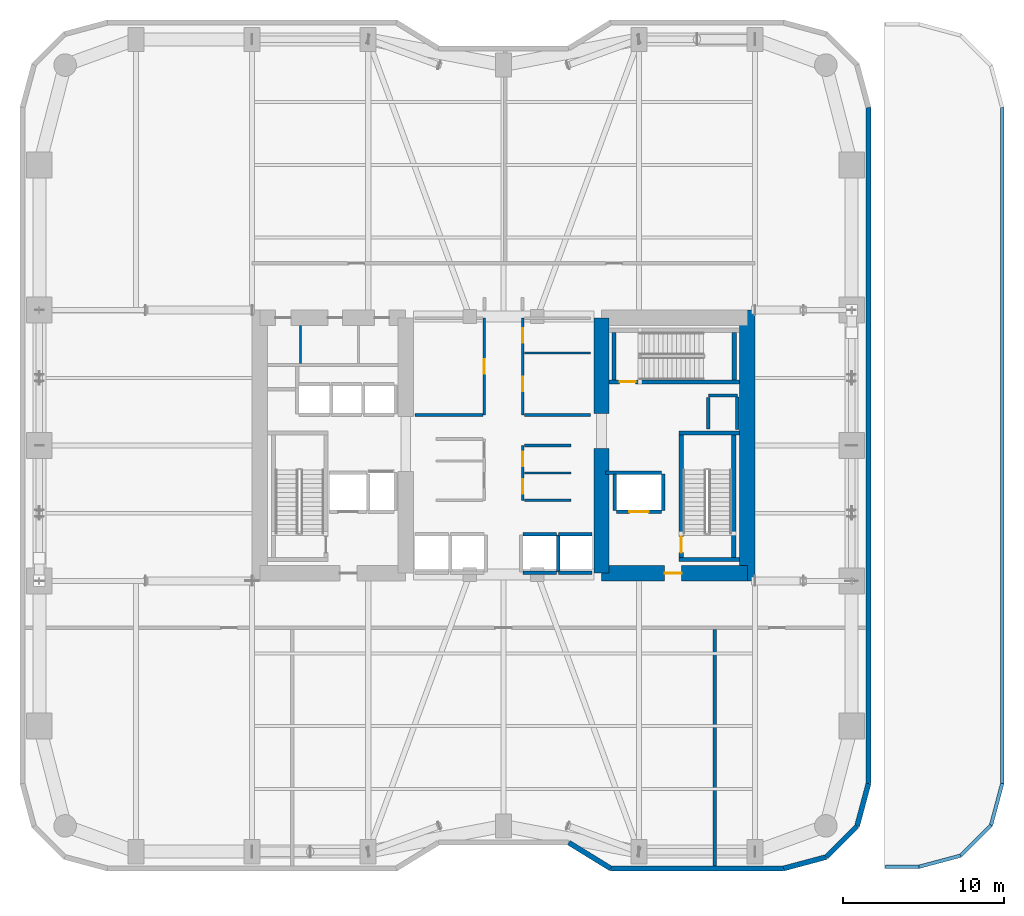
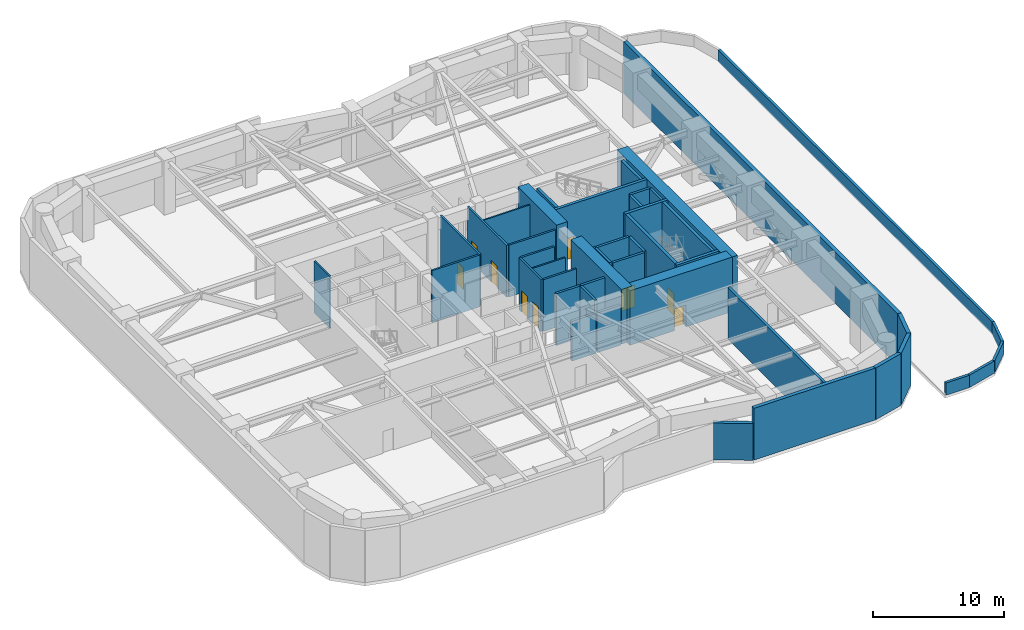
# One storey, part 13 of 16: 45 walls, 9 doors, 9 openings.
"""IFC4 building model written with IfcOpenShell, lengths in metres."""

import ifcopenshell
import ifcopenshell.guid

model = None  # the IFC model being written
_history = None  # IfcOwnerHistory: only IFC2X3 demands one
_inside = {}  # id of a spatial element -> (the spatial element, [elements in it])
_under = {}  # id of a project, library or spatial element -> (it, [spatial elements below it])
_declared = {}  # id of a project -> (the project, [libraries it declares])
_typed = {}  # id of a type object -> (the type object, [elements of that type])
_made_of = {}  # id of a material, layer set ... -> (it, [elements and type objects made of it])


def new_model(schema):
    """Start an empty IFC model of exactly this schema.

    Asked for "IFC4X3", IfcOpenShell would pick the latest addendum, in which some entities
    have other attributes; the version numbers below select the first issue.
    IFC2X3 requires an IfcOwnerHistory on every rooted entity: one is made here for all.
    """
    global model, _history
    if schema == "IFC4X3":
        model = ifcopenshell.file(schema_version=(4, 3, 0, 0))
    else:
        model = ifcopenshell.file(schema=schema)
    _inside.clear()
    _under.clear()
    _declared.clear()
    _typed.clear()
    _made_of.clear()
    _history = None
    if model.schema == "IFC2X3":
        org = make("IfcOrganization", Name="unknown")
        user = make(
            "IfcPersonAndOrganization",
            ThePerson=make("IfcPerson", FamilyName="unknown"),
            TheOrganization=org,
        )
        app = make(
            "IfcApplication",
            ApplicationDeveloper=org,
            Version="unknown",
            ApplicationFullName="unknown",
            ApplicationIdentifier="unknown",
        )
        _history = make(
            "IfcOwnerHistory",
            OwningUser=user,
            OwningApplication=app,
            ChangeAction="ADDED",
            CreationDate=0,
        )
    return model


def make(cls, **values):
    """One entity of the class cls with the attributes given. An attribute that is None is left unset."""
    return model.create_entity(
        cls, **{name: value for name, value in values.items() if value is not None}
    )


def rooted(cls, **values):
    """An entity with a GlobalId (a new one), such as an element, a storey or a relation."""
    return make(cls, GlobalId=ifcopenshell.guid.new(), OwnerHistory=_history, **values)


def si_unit(unit_type, name, prefix=None):
    """IfcSIUnit, for example si_unit("LENGTHUNIT", "METRE", prefix="MILLI")."""
    return make("IfcSIUnit", UnitType=unit_type, Prefix=prefix, Name=name)


def assignment(units):
    """IfcUnitAssignment: the units of a project."""
    return None if units is None else make("IfcUnitAssignment", Units=units)


def point(xyz):
    """IfcCartesianPoint."""
    return None if xyz is None else make("IfcCartesianPoint", Coordinates=xyz)


def direction(xyz):
    """IfcDirection."""
    return None if xyz is None else make("IfcDirection", DirectionRatios=xyz)


def frame(location, z_axis=None, x_axis=None):
    """IfcAxis2Placement3D, a coordinate frame: its origin and axes. An axis left out is left unset."""
    return make(
        "IfcAxis2Placement3D",
        Location=point(location),
        Axis=direction(z_axis),
        RefDirection=direction(x_axis),
    )


def frame_2d(location, x_axis=None):
    """IfcAxis2Placement2D, a coordinate frame in the plane: its origin and x axis."""
    return make(
        "IfcAxis2Placement2D", Location=point(location), RefDirection=direction(x_axis)
    )


def origin():
    """The frame at (0, 0, 0) with its axes left unset."""
    return frame((0.0, 0.0, 0.0))


def place(relative_to, where):
    """IfcLocalPlacement: puts the frame where relative to a parent placement (None: the world)."""
    return make(
        "IfcLocalPlacement", PlacementRelTo=relative_to, RelativePlacement=where
    )


def context(
    kind, dimensions, precision=None, world=None, true_north=None, identifier=None
):
    """IfcGeometricRepresentationContext, for example the 3D "Model" context."""
    return make(
        "IfcGeometricRepresentationContext",
        ContextIdentifier=identifier,
        ContextType=kind,
        CoordinateSpaceDimension=dimensions,
        Precision=precision,
        WorldCoordinateSystem=world,
        TrueNorth=true_north,
    )


def subcontext(parent, identifier, kind, view, scale=None):
    """IfcGeometricRepresentationSubContext, for example "Body" below "Model"."""
    return make(
        "IfcGeometricRepresentationSubContext",
        ContextIdentifier=identifier,
        ContextType=kind,
        ParentContext=parent,
        TargetScale=scale,
        TargetView=view,
    )


def project(units=None, contexts=None):
    """IfcProject with its units and contexts."""
    return rooted(
        "IfcProject",
        Name="project",
        RepresentationContexts=contexts,
        UnitsInContext=assignment(units),
    )


def spatial(cls, under=None, at=None, **own):
    """A site, building, storey or space (cls), placed at a placement, below another one or the project."""
    s = rooted(cls, ObjectPlacement=at, **own)
    if under is not None:
        _under.setdefault(under.id(), (under, []))[1].append(s)
    return s


def profile(cls, at=None, kind="AREA", **sizes):
    """A parametric profile (cls). Its sizes go by their IFC names, for example OverallWidth=200.0."""
    return make(cls, ProfileType=kind, Position=at, **sizes)


def rectangle(**sizes):
    """IfcRectangleProfileDef."""
    return profile("IfcRectangleProfileDef", **sizes)


def extrude(swept, where, along, depth):
    """IfcExtrudedAreaSolid: the profile swept, set in the frame where, extruded along a direction by depth."""
    return make(
        "IfcExtrudedAreaSolid",
        SweptArea=swept,
        Position=where,
        ExtrudedDirection=direction(along),
        Depth=depth,
    )


def shape(context_of_items, identifier, shape_type, items):
    """IfcShapeRepresentation: the items that make up one representation, for example the "Body"."""
    return make(
        "IfcShapeRepresentation",
        ContextOfItems=context_of_items,
        RepresentationIdentifier=identifier,
        RepresentationType=shape_type,
        Items=items,
    )


def material(Name=None, Category=None):
    """IfcMaterial."""
    return make("IfcMaterial", Name=Name, Category=Category)


def layer(
    of_material, thickness, ventilated=None, Name=None, Category=None, Priority=None
):
    """IfcMaterialLayer: one layer of a wall or slab, of a material (None: an air gap)."""
    return make(
        "IfcMaterialLayer",
        Material=of_material,
        LayerThickness=thickness,
        IsVentilated=ventilated,
        Name=Name,
        Category=Category,
        Priority=Priority,
    )


def layer_set(layers, Name=None):
    """IfcMaterialLayerSet."""
    return make("IfcMaterialLayerSet", MaterialLayers=layers, LayerSetName=Name)


def made_of(thing, what):
    """Note that an element or type object is made of a material, layer set ...; save() writes the relation."""
    if what is not None:
        _made_of.setdefault(what.id(), (what, []))[1].append(thing)
    return thing


def type_object(cls, material=None, **own):
    """A type object (cls), such as IfcWallType, which elements share."""
    return made_of(rooted(cls, **own), material)


def element(
    cls,
    number,
    at=None,
    inside=None,
    cuts=None,
    type_object=None,
    material=None,
    context=None,
    identifier="Body",
    shape_type=None,
    held_by="IfcProductDefinitionShape",
    body=None,
    shapes=None,
    **own,
):
    """One element of the class cls, such as IfcWall. Its Tag is "e" and its number.

    at: its placement. inside: the storey or other place that contains it. cuts: it is an
    opening in that element (IfcRelVoidsElement). A single representation is given by context,
    identifier, shape_type and body (its items); several are given by shapes. held_by: the class
    of the entity that holds the representations. save() writes the other relations.
    """
    e = rooted(cls, Tag="e%d" % number, ObjectPlacement=at, **own)
    if body is not None:
        shapes = [shape(context, identifier, shape_type, body)]
    if shapes is not None:
        e.Representation = make(held_by, Representations=shapes)
    if inside is not None:
        _inside.setdefault(inside.id(), (inside, []))[1].append(e)
    if cuts is not None:
        rooted(
            "IfcRelVoidsElement", RelatingBuildingElement=cuts, RelatedOpeningElement=e
        )
    if type_object is not None:
        _typed.setdefault(type_object.id(), (type_object, []))[1].append(e)
    return made_of(e, material)


def fill(opening, filler):
    """IfcRelFillsElement: the door or window that sits in an opening."""
    return rooted(
        "IfcRelFillsElement",
        RelatingOpeningElement=opening,
        RelatedBuildingElement=filler,
    )


def aggregate(whole, parts):
    """IfcRelAggregates: a whole, such as a stair, and the parts it consists of."""
    return rooted("IfcRelAggregates", RelatingObject=whole, RelatedObjects=parts)


def save(model, path):
    """Write the relations noted so far, then the file.

    IfcRelAggregates (storeys below a building ...), IfcRelContainedInSpatialStructure (elements
    in a storey), IfcRelDefinesByType, IfcRelAssociatesMaterial and IfcRelDeclares: one each for
    every whole, place, type object, material and project.
    """
    for whole, parts in _under.values():
        aggregate(whole, parts)
    for where, things in _inside.values():
        rooted(
            "IfcRelContainedInSpatialStructure",
            RelatedElements=things,
            RelatingStructure=where,
        )
    for kind, things in _typed.values():
        rooted("IfcRelDefinesByType", RelatedObjects=things, RelatingType=kind)
    for what, things in _made_of.values():
        rooted("IfcRelAssociatesMaterial", RelatedObjects=things, RelatingMaterial=what)
    for by, libraries in _declared.values():
        rooted("IfcRelDeclares", RelatingContext=by, RelatedDefinitions=libraries)
    model.write(path)


model = new_model("IFC4")

# Units and contexts
model_context = context("Model", 3, precision=1e-05, world=origin(), true_north=direction((0.0, 1.0)))
body_context = subcontext(model_context, "Body", "Model", "MODEL_VIEW")
ifc_project = project(units=[si_unit("LENGTHUNIT", "METRE"), si_unit("AREAUNIT", "SQUARE_METRE"), si_unit("VOLUMEUNIT", "CUBIC_METRE"), si_unit("PLANEANGLEUNIT", "RADIAN"), si_unit("MASSUNIT", "GRAM", prefix="KILO")], contexts=[model_context])

# Site, building, storey
site_placement = place(None, origin())
site = spatial("IfcSite", under=ifc_project, at=site_placement, CompositionType="ELEMENT")
building_placement = place(site_placement, origin())
building = spatial("IfcBuilding", under=site, at=building_placement, Name="Kiyonajd Concourse Tower", CompositionType="ELEMENT")
storey_placement = place(building_placement, frame((0.0, 0.0, 80.699951171875)))
storey = spatial("IfcBuildingStorey", under=building, at=storey_placement, Name="L21", CompositionType="ELEMENT", Elevation=80.699951171875)

# Walls
ifc_material_1 = material(Name="Concrete C80/95", Category="concrete")
ifc_layer_1 = layer(ifc_material_1, 0.949951171875)
ifc_layer_set_1 = layer_set([ifc_layer_1], Name="Concrete C80/95")
wall_type_1 = type_object("IfcWallType", Name="WL-CORE-950", PredefinedType="SHEAR", material=ifc_layer_set_1)
wall_1_placement = place(storey_placement, frame((54.074951171875, 28.074951171875, 0.0), z_axis=(0.0, 0.0, 1.0), x_axis=(0.0, 1.0, 0.0)))
element("IfcWall", 1, at=wall_1_placement, inside=storey, type_object=wall_type_1, Name="L21 East Core Inner South Shear Wall", PredefinedType="SHEAR", context=body_context, shape_type="SweptSolid", body=[
    extrude(rectangle(XDim=7.72509765625, YDim=0.949951171875, at=frame_2d((3.862548828125, 0.0))), origin(), (0.0, 0.0, 1.0), 5.10009765625),
])
wall_2_placement = place(storey_placement, frame((54.074951171875, 38.0, 0.0), z_axis=(0.0, 0.0, 1.0), x_axis=(0.0, 1.0, 0.0)))
element("IfcWall", 2, at=wall_2_placement, inside=storey, type_object=wall_type_1, Name="L21 East Core Inner North Shear Wall", PredefinedType="SHEAR", context=body_context, shape_type="SweptSolid", body=[
    extrude(rectangle(XDim=5.925048828125, YDim=0.949951171875, at=frame_2d((2.96240234375, 0.0))), origin(), (0.0, 0.0, 1.0), 5.10009765625),
])
wall_3_placement = place(storey_placement, frame((63.125, 27.60009765625, 0.0), z_axis=(0.0, 0.0, 1.0), x_axis=(0.0, 1.0, 0.0)))
element("IfcWall", 3, at=wall_3_placement, inside=storey, type_object=wall_type_1, Name="L21 East Core Outer Shear Wall", PredefinedType="SHEAR", context=body_context, shape_type="SweptSolid", body=[
    extrude(rectangle(XDim=16.7998046875, YDim=0.949951171875, at=frame_2d((8.39990234375, 0.0))), origin(), (0.0, 0.0, 1.0), 5.10009765625),
])

# Wall, opening, door
wall_4_placement = place(storey_placement, frame((54.074951171875, 28.074951171875, 0.0), z_axis=(0.0, 0.0, 1.0), x_axis=(1.0, 0.0, 0.0)))
wall_4 = element("IfcWall", 4, at=wall_4_placement, inside=storey, type_object=wall_type_1, Name="L21 East Core South Shear Wall", PredefinedType="SHEAR", context=body_context, shape_type="SweptSolid", body=[
    extrude(rectangle(XDim=9.050048828125, YDim=0.949951171875, at=frame_2d((4.52490234375, 0.0))), origin(), (0.0, 0.0, 1.0), 5.10009765625),
])
opening_1_placement = place(wall_4_placement, frame((3.925048828125, 0.0, 0.0)))
opening_1 = element("IfcOpeningElement", 5, at=opening_1_placement, cuts=wall_4, Name="Opening DF5", PredefinedType="OPENING", context=body_context, shape_type="SweptSolid", body=[
    extrude(rectangle(XDim=1.050048828125, YDim=2.0400390625, at=frame_2d((0.52490234375, 1.02001953125))), frame((0.0, 0.48486328125, 0.0), z_axis=(0.0, -1.0, 0.0), x_axis=(1.0, 0.0, 0.0)), (0.0, 0.0, 1.0), 0.969970703125),
])
ifc_material_2 = material(Name="Brushed Stainless Steel Cab Assembly", Category="steel")
door_type_1 = type_object("IfcDoorType", Name="DR-FD45-1050", OperationType="NOTDEFINED", PredefinedType="DOOR", material=ifc_material_2)
door_1_placement = place(opening_1_placement, origin())
door_1 = element("IfcDoor", 6, at=door_1_placement, inside=storey, type_object=door_type_1, Name="L21 Firefighting Lift Lobby E Smoke Door", OperationType="SINGLE_SWING_RIGHT", OverallHeight=2.0400390625, OverallWidth=1.050048828125, PredefinedType="DOOR", context=body_context, shape_type="SweptSolid", body=[
    extrude(rectangle(XDim=1.050048828125, YDim=2.0400390625, at=frame_2d((0.52490234375, 1.02001953125))), frame((0.0, 0.02490234375, 0.0), z_axis=(0.0, -1.0, 0.0), x_axis=(1.0, 0.0, 0.0)), (0.0, 0.0, 1.0), 0.050048828125),
])
fill(opening_1, door_1)

# Walls
ifc_material_3 = material(Name="Precast concrete C50/60", Category="concrete")
ifc_layer_2 = layer(ifc_material_3, 0.320068359375)
ifc_layer_set_2 = layer_set([ifc_layer_2], Name="Precast concrete C50/60")
wall_type_2 = type_object("IfcWallType", Name="WL-EXT-320", PredefinedType="SOLIDWALL", material=ifc_layer_set_2)
wall_5_placement = place(storey_placement, frame((70.639892578125, 56.97900390625, 0.0), z_axis=(0.0, 0.0, 1.0), x_axis=(0.0, -1.0, 0.0)))
element("IfcWall", 7, at=wall_5_placement, inside=storey, type_object=wall_type_2, Name="L21 Exterior Concrete Frame Wall 12", PredefinedType="SOLIDWALL", context=body_context, shape_type="SweptSolid", body=[
    extrude(rectangle(XDim=41.9580078125, YDim=0.320068359375, at=frame_2d((20.97900390625, 0.0))), origin(), (0.0, 0.0, 1.0), 4.840087890625),
])
wall_6_placement = place(storey_placement, frame((70.639892578125, 15.02099609375, 0.0), z_axis=(0.0, 0.0, 1.0), x_axis=(-0.258613949072, -0.965980758269, 0.0)))
element("IfcWall", 8, at=wall_6_placement, inside=storey, type_object=wall_type_2, Name="L21 Exterior Concrete Frame Wall 13", PredefinedType="SOLIDWALL", context=body_context, shape_type="SweptSolid", body=[
    extrude(rectangle(XDim=2.731201171875, YDim=0.320068359375, at=frame_2d((1.36572265625, 0.0))), origin(), (0.0, 0.0, 1.0), 4.840087890625),
])
wall_7_placement = place(storey_placement, frame((69.93359375, 12.3828125, 0.0), z_axis=(0.0, 0.0, 1.0), x_axis=(-0.707151821269, -0.707061738235, 0.0)))
element("IfcWall", 9, at=wall_7_placement, inside=storey, type_object=wall_type_2, Name="L21 Exterior Concrete Frame Wall 14", PredefinedType="SOLIDWALL", context=body_context, shape_type="SweptSolid", body=[
    extrude(rectangle(XDim=2.710205078125, YDim=0.320068359375, at=frame_2d((1.35498046875, 0.0))), origin(), (0.0, 0.0, 1.0), 4.840087890625),
])
wall_8_placement = place(storey_placement, frame((68.01708984375, 10.466552734375, 0.0), z_axis=(0.0, 0.0, 1.0), x_axis=(-0.965958423373, -0.25869736047, 0.0)))
element("IfcWall", 10, at=wall_8_placement, inside=storey, type_object=wall_type_2, Name="L21 Exterior Concrete Frame Wall 15", PredefinedType="SOLIDWALL", context=body_context, shape_type="SweptSolid", body=[
    extrude(rectangle(XDim=2.731201171875, YDim=0.320068359375, at=frame_2d((1.36572265625, 0.0))), origin(), (0.0, 0.0, 1.0), 4.840087890625),
])
wall_9_placement = place(storey_placement, frame((65.37890625, 9.760009765625, 0.0), z_axis=(0.0, 0.0, 1.0), x_axis=(-1.0, 0.0, 0.0)))
element("IfcWall", 11, at=wall_9_placement, inside=storey, type_object=wall_type_2, Name="L21 Exterior Concrete Frame Wall 16", PredefinedType="SOLIDWALL", context=body_context, shape_type="SweptSolid", body=[
    extrude(rectangle(XDim=10.733642578125, YDim=0.320068359375, at=frame_2d((5.36669921875, 0.0))), origin(), (0.0, 0.0, 1.0), 4.840087890625),
])
wall_10_placement = place(storey_placement, frame((54.645263671875, 9.760009765625, 0.0), z_axis=(0.0, 0.0, 1.0), x_axis=(-0.851630857047, 0.524142044989, 0.0)))
element("IfcWall", 12, at=wall_10_placement, inside=storey, type_object=wall_type_2, Name="L21 Exterior Concrete Frame Wall 17", PredefinedType="SOLIDWALL", context=body_context, shape_type="SweptSolid", body=[
    extrude(rectangle(XDim=3.052734375, YDim=0.320068359375, at=frame_2d((1.5263671875, 0.0))), origin(), (0.0, 0.0, 1.0), 3.425048828125),
])
ifc_material_4 = material(Name="Gypsum Board on Cold-Formed Steel Stud", Category="steel")
ifc_layer_3 = layer(ifc_material_4, 0.22998046875)
ifc_layer_set_3 = layer_set([ifc_layer_3], Name="Gypsum Board on Cold-Formed Steel Stud")
wall_type_3 = type_object("IfcWallType", Name="WL-FIRE-230", PredefinedType="PARTITIONING", material=ifc_layer_set_3)
wall_11_placement = place(storey_placement, frame((61.10009765625, 9.9150390625, 0.0), z_axis=(0.0, 0.0, 1.0), x_axis=(0.0, 1.0, 0.0)))
element("IfcWall", 13, at=wall_11_placement, inside=storey, type_object=wall_type_3, Name="L21 Interior Partition Wall", PredefinedType="PARTITIONING", context=body_context, shape_type="SweptSolid", body=[
    extrude(rectangle(XDim=14.66796875, YDim=0.22998046875, at=frame_2d((7.333984375, 0.0))), origin(), (0.0, 0.0, 1.0), 4.840087890625),
])
ifc_layer_4 = layer(ifc_material_3, 0.219970703125)
ifc_layer_set_4 = layer_set([ifc_layer_4], Name="Precast concrete C50/60")
wall_type_4 = type_object("IfcWallType", Name="WL-PAR-220", PredefinedType="PARAPET", material=ifc_layer_set_4)
wall_12_placement = place(storey_placement, frame((78.93994140625, 56.965576171875, 0.0), z_axis=(0.0, 0.0, 1.0), x_axis=(0.0, -1.0, 0.0)))
element("IfcWall", 14, at=wall_12_placement, inside=storey, type_object=wall_type_4, Name="L21 Setback Roof Parapet 03", PredefinedType="PARAPET", context=body_context, shape_type="SweptSolid", body=[
    extrude(rectangle(XDim=41.93115234375, YDim=0.219970703125, at=frame_2d((20.965576171875, 0.0))), origin(), (0.0, 0.0, 1.0), 1.150146484375),
])
wall_13_placement = place(storey_placement, frame((78.93994140625, 15.034423828125, 0.0), z_axis=(0.0, 0.0, 1.0), x_axis=(-0.258470033577, -0.966019276072, 0.0)))
element("IfcWall", 15, at=wall_13_placement, inside=storey, type_object=wall_type_4, Name="L21 Setback Roof Parapet 04", PredefinedType="PARAPET", context=body_context, shape_type="SweptSolid", body=[
    extrude(rectangle(XDim=2.691162109375, YDim=0.219970703125, at=frame_2d((1.345703125, 0.0))), origin(), (0.0, 0.0, 1.0), 1.150146484375),
])
wall_14_placement = place(storey_placement, frame((78.244384765625, 12.434814453125, 0.0), z_axis=(0.0, 0.0, 1.0), x_axis=(-0.707152710632, -0.707060848758, 0.0)))
element("IfcWall", 16, at=wall_14_placement, inside=storey, type_object=wall_type_4, Name="L21 Setback Roof Parapet 05", PredefinedType="PARAPET", context=body_context, shape_type="SweptSolid", body=[
    extrude(rectangle(XDim=2.65771484375, YDim=0.219970703125, at=frame_2d((1.328857421875, 0.0))), origin(), (0.0, 0.0, 1.0), 1.150146484375),
])
wall_15_placement = place(storey_placement, frame((76.364990234375, 10.5556640625, 0.0), z_axis=(0.0, 0.0, 1.0), x_axis=(-0.966019276072, -0.258470033577, 0.0)))
element("IfcWall", 17, at=wall_15_placement, inside=storey, type_object=wall_type_4, Name="L21 Setback Roof Parapet 06", PredefinedType="PARAPET", context=body_context, shape_type="SweptSolid", body=[
    extrude(rectangle(XDim=2.691162109375, YDim=0.219970703125, at=frame_2d((1.345703125, 0.0))), origin(), (0.0, 0.0, 1.0), 1.150146484375),
])
wall_16_placement = place(storey_placement, frame((73.765380859375, 9.860107421875, 0.0), z_axis=(0.0, 0.0, 1.0), x_axis=(-1.0, 0.0, 0.0)))
element("IfcWall", 18, at=wall_16_placement, inside=storey, type_object=wall_type_4, Name="L21 Setback Roof Parapet 07", PredefinedType="PARAPET", context=body_context, shape_type="SweptSolid", body=[
    extrude(rectangle(XDim=2.055419921875, YDim=0.219970703125, at=frame_2d((1.02783203125, 0.0))), origin(), (0.0, 0.0, 1.0), 1.150146484375),
])
ifc_layer_5 = layer(ifc_material_4, 0.125)
ifc_layer_set_5 = layer_set([ifc_layer_5], Name="Gypsum Board on Cold-Formed Steel Stud")
wall_type_5 = type_object("IfcWallType", Name="WL-PART-125", PredefinedType="PARTITIONING", material=ifc_layer_set_5)
wall_17_placement = place(storey_placement, frame((35.39990234375, 41.094970703125, 0.0), z_axis=(0.0, 0.0, 1.0), x_axis=(0.0, 1.0, 0.0)))
element("IfcWall", 19, at=wall_17_placement, inside=storey, type_object=wall_type_5, Name="L21 Interior Partition Wall", PredefinedType="PARTITIONING", context=body_context, shape_type="SweptSolid", body=[
    extrude(rectangle(XDim=2.35498046875, YDim=0.125, at=frame_2d((1.177490234375, 0.0))), origin(), (0.0, 0.0, 1.0), 4.840087890625),
])
wall_18_placement = place(storey_placement, frame((49.287109375, 34.300048828125, 0.0), z_axis=(0.0, 0.0, 1.0), x_axis=(1.0, 0.0, 0.0)))
element("IfcWall", 20, at=wall_18_placement, inside=storey, type_object=wall_type_5, Name="L21 Interior Partition Wall", PredefinedType="PARTITIONING", context=body_context, shape_type="SweptSolid", body=[
    extrude(rectangle(XDim=2.912841796875, YDim=0.125, at=frame_2d((1.45654296875, 0.0))), origin(), (0.0, 0.0, 1.0), 4.840087890625),
])
wall_19_placement = place(storey_placement, frame((49.287109375, 41.739990234375, 0.0), z_axis=(0.0, 0.0, 1.0), x_axis=(1.0, 0.0, 0.0)))
element("IfcWall", 21, at=wall_19_placement, inside=storey, type_object=wall_type_5, Name="L21 Interior Partition Wall", PredefinedType="PARTITIONING", context=body_context, shape_type="SweptSolid", body=[
    extrude(rectangle(XDim=4.11279296875, YDim=0.125, at=frame_2d((2.056396484375, 0.0))), origin(), (0.0, 0.0, 1.0), 4.840087890625),
])
ifc_layer_6 = layer(ifc_material_4, 0.2099609375)
ifc_layer_set_6 = layer_set([ifc_layer_6], Name="Gypsum Board on Cold-Formed Steel Stud")
wall_type_6 = type_object("IfcWallType", Name="WL-SHAFT-210", PredefinedType="PARTITIONING", material=ifc_layer_set_6)
wall_20_placement = place(storey_placement, frame((60.719970703125, 39.10009765625, 0.0), z_axis=(0.0, 0.0, 1.0), x_axis=(1.0, 0.0, 0.0)))
element("IfcWall", 22, at=wall_20_placement, inside=storey, type_object=wall_type_6, Name="L21 Shaft Enclosure Wall", PredefinedType="PARTITIONING", context=body_context, shape_type="SweptSolid", body=[
    extrude(rectangle(XDim=1.800048828125, YDim=0.2099609375, at=frame_2d((0.89990234375, 0.0))), origin(), (0.0, 0.0, 1.0), 4.840087890625),
])
wall_21_placement = place(storey_placement, frame((60.699951171875, 37.02001953125, 0.0), z_axis=(0.0, 0.0, 1.0), x_axis=(0.0, 1.0, 0.0)))
element("IfcWall", 23, at=wall_21_placement, inside=storey, type_object=wall_type_6, Name="L21 Shaft Enclosure Wall", PredefinedType="PARTITIONING", context=body_context, shape_type="SweptSolid", body=[
    extrude(rectangle(XDim=1.9599609375, YDim=0.2099609375, at=frame_2d((0.97998046875, 0.0))), origin(), (0.0, 0.0, 1.0), 4.840087890625),
])
wall_22_placement = place(storey_placement, frame((62.5, 36.97998046875, 0.0), z_axis=(0.0, 0.0, 1.0), x_axis=(0.0, 1.0, 0.0)))
element("IfcWall", 24, at=wall_22_placement, inside=storey, type_object=wall_type_6, Name="L21 Shaft Enclosure Wall", PredefinedType="PARTITIONING", context=body_context, shape_type="SweptSolid", body=[
    extrude(rectangle(XDim=2.0400390625, YDim=0.2099609375, at=frame_2d((1.02001953125, 0.0))), origin(), (0.0, 0.0, 1.0), 4.840087890625),
])

# Wall, opening, door
wall_23_placement = place(storey_placement, frame((55.0, 31.89990234375, 0.0), z_axis=(0.0, 0.0, 1.0), x_axis=(1.0, 0.0, 0.0)))
wall_23 = element("IfcWall", 25, at=wall_23_placement, inside=storey, type_object=wall_type_6, Name="L21 Shaft Enclosure Wall", PredefinedType="PARTITIONING", context=body_context, shape_type="SweptSolid", body=[
    extrude(rectangle(XDim=2.800048828125, YDim=0.2099609375, at=frame_2d((1.39990234375, 0.0))), origin(), (0.0, 0.0, 1.0), 4.840087890625),
])
opening_2_placement = place(wall_23_placement, frame((0.800048828125, 0.0, 0.0)))
opening_2 = element("IfcOpeningElement", 26, at=opening_2_placement, cuts=wall_23, Name="Opening LD2", PredefinedType="OPENING", context=body_context, shape_type="SweptSolid", body=[
    extrude(rectangle(XDim=1.199951171875, YDim=2.0400390625, at=frame_2d((0.60009765625, 1.02001953125))), frame((0.0, 0.114990234375, 0.0), z_axis=(0.0, -1.0, 0.0), x_axis=(1.0, 0.0, 0.0)), (0.0, 0.0, 1.0), 0.22998046875),
])
door_type_2 = type_object("IfcDoorType", Name="DR-LD-1200", OperationType="DOUBLE_DOOR_SLIDING", PredefinedType="DOOR", material=ifc_material_2)
door_2_placement = place(opening_2_placement, origin())
door_2 = element("IfcDoor", 27, at=door_2_placement, inside=storey, type_object=door_type_2, Name="L21 Lift FFL2 Sliding Landing Door", OperationType="DOUBLE_DOOR_SLIDING", OverallHeight=2.0400390625, OverallWidth=1.199951171875, PredefinedType="DOOR", context=body_context, shape_type="SweptSolid", body=[
    extrude(rectangle(XDim=1.199951171875, YDim=2.0400390625, at=frame_2d((0.60009765625, 1.02001953125))), frame((0.0, 0.02490234375, 0.0), z_axis=(0.0, -1.0, 0.0), x_axis=(1.0, 0.0, 0.0)), (0.0, 0.0, 1.0), 0.050048828125),
])
fill(opening_2, door_2)

# Walls
wall_24_placement = place(storey_placement, frame((54.320068359375, 34.300048828125, 0.0), z_axis=(0.0, 0.0, 1.0), x_axis=(1.0, 0.0, 0.0)))
element("IfcWall", 28, at=wall_24_placement, inside=storey, type_object=wall_type_6, Name="L21 Shaft Enclosure Wall", PredefinedType="PARTITIONING", context=body_context, shape_type="SweptSolid", body=[
    extrude(rectangle(XDim=3.47998046875, YDim=0.2099609375, at=frame_2d((1.739990234375, 0.0))), origin(), (0.0, 0.0, 1.0), 4.840087890625),
])
for number, where, z_axis, x_axis, name in (
    (29, (54.89990234375, 31.9599609375, 0.0), (0.0, 0.0, 1.0), (0.0, 1.0, 0.0), "L21 Shaft Enclosure Wall"),
    (30, (57.89990234375, 31.9599609375, 0.0), (0.0, 0.0, 1.0), (0.0, 1.0, 0.0), "L21 Shaft Enclosure Wall"),
):
    element("IfcWall", number, at=place(storey_placement, frame(where, z_axis=z_axis, x_axis=x_axis)), inside=storey, type_object=wall_type_6, Name=name, PredefinedType="PARTITIONING", context=body_context, shape_type="SweptSolid", body=[
        extrude(rectangle(XDim=2.280029296875, YDim=0.2099609375, at=frame_2d((1.14013671875, 0.0))), origin(), (0.0, 0.0, 1.0), 4.840087890625),
    ])
wall_25_placement = place(storey_placement, frame((49.199951171875, 30.5, 0.0), z_axis=(0.0, 0.0, 1.0), x_axis=(1.0, 0.0, 0.0)))
element("IfcWall", 31, at=wall_25_placement, inside=storey, type_object=wall_type_6, Name="L21 Shaft Enclosure Wall", PredefinedType="PARTITIONING", context=body_context, shape_type="SweptSolid", body=[
    extrude(rectangle(XDim=2.10009765625, YDim=0.2099609375, at=frame_2d((1.050048828125, 0.0))), origin(), (0.0, 0.0, 1.0), 4.840087890625),
])
wall_26_placement = place(storey_placement, frame((49.199951171875, 28.10009765625, 0.0), z_axis=(0.0, 0.0, 1.0), x_axis=(1.0, 0.0, 0.0)))
element("IfcWall", 32, at=wall_26_placement, inside=storey, type_object=wall_type_6, Name="L21 Shaft Enclosure Wall", PredefinedType="PARTITIONING", context=body_context, shape_type="SweptSolid", body=[
    extrude(rectangle(XDim=2.10009765625, YDim=0.2099609375, at=frame_2d((1.050048828125, 0.0))), origin(), (0.0, 0.0, 1.0), 3.72509765625),
])
wall_27_placement = place(storey_placement, frame((51.39990234375, 28.159912109375, 0.0), z_axis=(0.0, 0.0, 1.0), x_axis=(0.0, 1.0, 0.0)))
element("IfcWall", 33, at=wall_27_placement, inside=storey, type_object=wall_type_6, Name="L21 Shaft Enclosure Wall", PredefinedType="PARTITIONING", context=body_context, shape_type="SweptSolid", body=[
    extrude(rectangle(XDim=2.280029296875, YDim=0.2099609375, at=frame_2d((1.14013671875, 0.0))), origin(), (0.0, 0.0, 1.0), 4.840087890625),
])
wall_28_placement = place(storey_placement, frame((51.39990234375, 30.5, 0.0), z_axis=(0.0, 0.0, 1.0), x_axis=(1.0, 0.0, 0.0)))
element("IfcWall", 34, at=wall_28_placement, inside=storey, type_object=wall_type_6, Name="L21 Shaft Enclosure Wall", PredefinedType="PARTITIONING", context=body_context, shape_type="SweptSolid", body=[
    extrude(rectangle(XDim=2.10009765625, YDim=0.2099609375, at=frame_2d((1.050048828125, 0.0))), origin(), (0.0, 0.0, 1.0), 4.840087890625),
])
wall_29_placement = place(storey_placement, frame((51.39990234375, 28.10009765625, 0.0), z_axis=(0.0, 0.0, 1.0), x_axis=(1.0, 0.0, 0.0)))
element("IfcWall", 35, at=wall_29_placement, inside=storey, type_object=wall_type_6, Name="L21 Shaft Enclosure Wall", PredefinedType="PARTITIONING", context=body_context, shape_type="SweptSolid", body=[
    extrude(rectangle(XDim=2.10009765625, YDim=0.2099609375, at=frame_2d((1.050048828125, 0.0))), origin(), (0.0, 0.0, 1.0), 3.72509765625),
])

# Wall, openings, doors
ifc_layer_7 = layer(ifc_material_4, 0.169921875)
ifc_layer_set_7 = layer_set([ifc_layer_7], Name="Gypsum Board on Cold-Formed Steel Stud")
wall_type_7 = type_object("IfcWallType", Name="WL-SMK-170", PredefinedType="PARTITIONING", material=ifc_layer_set_7)
wall_30_placement = place(storey_placement, frame((49.199951171875, 32.60009765625, 0.0), z_axis=(0.0, 0.0, 1.0), x_axis=(0.0, 1.0, 0.0)))
wall_30 = element("IfcWall", 36, at=wall_30_placement, inside=storey, type_object=wall_type_7, Name="L21 Interior Partition Wall", PredefinedType="PARTITIONING", context=body_context, shape_type="SweptSolid", body=[
    extrude(rectangle(XDim=3.39990234375, YDim=0.169921875, at=frame_2d((1.699951171875, 0.0))), origin(), (0.0, 0.0, 1.0), 4.840087890625),
])
opening_3_placement = place(wall_30_placement, frame((0.39990234375, 0.0, 0.0)))
opening_3 = element("IfcOpeningElement", 37, at=opening_3_placement, cuts=wall_30, Name="Opening DI2", PredefinedType="OPENING", context=body_context, shape_type="SweptSolid", body=[
    extrude(rectangle(XDim=0.89990234375, YDim=2.02001953125, at=frame_2d((0.449951171875, 1.010009765625))), frame((0.0, 0.094970703125, 0.0), z_axis=(0.0, -1.0, 0.0), x_axis=(1.0, 0.0, 0.0)), (0.0, 0.0, 1.0), 0.18994140625),
])
opening_4_placement = place(wall_30_placement, frame((2.10009765625, 0.0, 0.0)))
opening_4 = element("IfcOpeningElement", 38, at=opening_4_placement, cuts=wall_30, Name="Opening DI2", PredefinedType="OPENING", context=body_context, shape_type="SweptSolid", body=[
    extrude(rectangle(XDim=0.89990234375, YDim=2.02001953125, at=frame_2d((0.449951171875, 1.010009765625))), frame((0.0, 0.094970703125, 0.0), z_axis=(0.0, -1.0, 0.0), x_axis=(1.0, 0.0, 0.0)), (0.0, 0.0, 1.0), 0.18994140625),
])
ifc_material_5 = material(Name="Natural Oak Acoustic Timber Veneer", Category="wood")
door_type_3 = type_object("IfcDoorType", Name="DR-INT-900", OperationType="NOTDEFINED", PredefinedType="DOOR", material=ifc_material_5)
door_3_placement = place(opening_3_placement, origin())
door_3 = element("IfcDoor", 39, at=door_3_placement, inside=storey, type_object=door_type_3, Name="L21 Interior Door", OperationType="SINGLE_SWING_RIGHT", OverallHeight=2.02001953125, OverallWidth=0.89990234375, PredefinedType="DOOR", context=body_context, shape_type="SweptSolid", body=[
    extrude(rectangle(XDim=0.89990234375, YDim=2.02001953125, at=frame_2d((0.449951171875, 1.010009765625))), frame((0.0, 0.02490234375, 0.0), z_axis=(0.0, -1.0, 0.0), x_axis=(1.0, 0.0, 0.0)), (0.0, 0.0, 1.0), 0.050048828125),
])
fill(opening_3, door_3)
door_4_placement = place(opening_4_placement, origin())
door_4 = element("IfcDoor", 40, at=door_4_placement, inside=storey, type_object=door_type_3, Name="L21 Interior Door", OperationType="SINGLE_SWING_LEFT", OverallHeight=2.02001953125, OverallWidth=0.89990234375, PredefinedType="DOOR", context=body_context, shape_type="SweptSolid", body=[
    extrude(rectangle(XDim=0.89990234375, YDim=2.02001953125, at=frame_2d((0.449951171875, 1.010009765625))), frame((0.0, 0.02490234375, 0.0), z_axis=(0.0, -1.0, 0.0), x_axis=(1.0, 0.0, 0.0)), (0.0, 0.0, 1.0), 0.050048828125),
])
fill(opening_4, door_4)

# Walls
for number, where, z_axis, x_axis, name in (
    (41, (49.287109375, 32.60009765625, 0.0), (0.0, 0.0, 1.0), (1.0, 0.0, 0.0), "L21 Interior Partition Wall"),
    (42, (49.287109375, 36.0, 0.0), (0.0, 0.0, 1.0), (1.0, 0.0, 0.0), "L21 Interior Partition Wall"),
):
    element("IfcWall", number, at=place(storey_placement, frame(where, z_axis=z_axis, x_axis=x_axis)), inside=storey, type_object=wall_type_7, Name=name, PredefinedType="PARTITIONING", context=body_context, shape_type="SweptSolid", body=[
        extrude(rectangle(XDim=2.912841796875, YDim=0.169921875, at=frame_2d((1.45654296875, 0.0))), origin(), (0.0, 0.0, 1.0), 4.840087890625),
    ])

# Wall, opening, door
wall_31_placement = place(storey_placement, frame((46.800048828125, 37.89990234375, 0.0), z_axis=(0.0, 0.0, 1.0), x_axis=(0.0, 1.0, 0.0)))
wall_31 = element("IfcWall", 43, at=wall_31_placement, inside=storey, type_object=wall_type_7, Name="L21 Interior Partition Wall", PredefinedType="PARTITIONING", context=body_context, shape_type="SweptSolid", body=[
    extrude(rectangle(XDim=6.0, YDim=0.169921875, at=frame_2d((3.0, 0.0))), origin(), (0.0, 0.0, 1.0), 4.840087890625),
])
opening_5_placement = place(wall_31_placement, frame((2.550048828125, 0.0, 0.0)))
opening_5 = element("IfcOpeningElement", 44, at=opening_5_placement, cuts=wall_31, Name="Opening DI2", PredefinedType="OPENING", context=body_context, shape_type="SweptSolid", body=[
    extrude(rectangle(XDim=0.89990234375, YDim=2.02001953125, at=frame_2d((0.449951171875, 1.010009765625))), frame((0.0, 0.094970703125, 0.0), z_axis=(0.0, -1.0, 0.0), x_axis=(1.0, 0.0, 0.0)), (0.0, 0.0, 1.0), 0.18994140625),
])
door_5_placement = place(opening_5_placement, origin())
door_5 = element("IfcDoor", 45, at=door_5_placement, inside=storey, type_object=door_type_3, Name="L21 Interior Door", OperationType="SINGLE_SWING_RIGHT", OverallHeight=2.02001953125, OverallWidth=0.89990234375, PredefinedType="DOOR", context=body_context, shape_type="SweptSolid", body=[
    extrude(rectangle(XDim=0.89990234375, YDim=2.02001953125, at=frame_2d((0.449951171875, 1.010009765625))), frame((0.0, 0.02490234375, 0.0), z_axis=(0.0, -1.0, 0.0), x_axis=(1.0, 0.0, 0.0)), (0.0, 0.0, 1.0), 0.050048828125),
])
fill(opening_5, door_5)

# Wall
wall_32_placement = place(storey_placement, frame((42.5, 37.89990234375, 0.0), z_axis=(0.0, 0.0, 1.0), x_axis=(1.0, 0.0, 0.0)))
element("IfcWall", 46, at=wall_32_placement, inside=storey, type_object=wall_type_7, Name="L21 Interior Partition Wall", PredefinedType="PARTITIONING", context=body_context, shape_type="SweptSolid", body=[
    extrude(rectangle(XDim=4.212890625, YDim=0.169921875, at=frame_2d((2.1064453125, 0.0))), origin(), (0.0, 0.0, 1.0), 4.840087890625),
])

# Wall, openings, doors
wall_33_placement = place(storey_placement, frame((49.199951171875, 37.89990234375, 0.0), z_axis=(0.0, 0.0, 1.0), x_axis=(0.0, 1.0, 0.0)))
wall_33 = element("IfcWall", 47, at=wall_33_placement, inside=storey, type_object=wall_type_7, Name="L21 Interior Partition Wall", PredefinedType="PARTITIONING", context=body_context, shape_type="SweptSolid", body=[
    extrude(rectangle(XDim=6.0, YDim=0.169921875, at=frame_2d((3.0, 0.0))), origin(), (0.0, 0.0, 1.0), 4.840087890625),
])
opening_6_placement = place(wall_33_placement, frame((1.469970703125, 0.0, 0.0)))
opening_6 = element("IfcOpeningElement", 48, at=opening_6_placement, cuts=wall_33, Name="Opening DF4", PredefinedType="OPENING", context=body_context, shape_type="SweptSolid", body=[
    extrude(rectangle(XDim=0.89990234375, YDim=2.02001953125, at=frame_2d((0.449951171875, 1.010009765625))), frame((0.0, 0.094970703125, 0.0), z_axis=(0.0, -1.0, 0.0), x_axis=(1.0, 0.0, 0.0)), (0.0, 0.0, 1.0), 0.18994140625),
])
opening_7_placement = place(wall_33_placement, frame((4.469970703125, 0.0, 0.0)))
opening_7 = element("IfcOpeningElement", 49, at=opening_7_placement, cuts=wall_33, Name="Opening DF4", PredefinedType="OPENING", context=body_context, shape_type="SweptSolid", body=[
    extrude(rectangle(XDim=0.89990234375, YDim=2.02001953125, at=frame_2d((0.449951171875, 1.010009765625))), frame((0.0, 0.094970703125, 0.0), z_axis=(0.0, -1.0, 0.0), x_axis=(1.0, 0.0, 0.0)), (0.0, 0.0, 1.0), 0.18994140625),
])
door_type_4 = type_object("IfcDoorType", Name="DR-FD60-900", OperationType="NOTDEFINED", PredefinedType="DOOR", material=ifc_material_2)
door_6_placement = place(opening_6_placement, origin())
door_6 = element("IfcDoor", 50, at=door_6_placement, inside=storey, type_object=door_type_4, Name="L21 Interior Door", OperationType="SINGLE_SWING_LEFT", OverallHeight=2.02001953125, OverallWidth=0.89990234375, PredefinedType="DOOR", context=body_context, shape_type="SweptSolid", body=[
    extrude(rectangle(XDim=0.89990234375, YDim=2.02001953125, at=frame_2d((0.449951171875, 1.010009765625))), frame((0.0, 0.02490234375, 0.0), z_axis=(0.0, -1.0, 0.0), x_axis=(1.0, 0.0, 0.0)), (0.0, 0.0, 1.0), 0.050048828125),
])
fill(opening_6, door_6)
door_7_placement = place(opening_7_placement, origin())
door_7 = element("IfcDoor", 51, at=door_7_placement, inside=storey, type_object=door_type_4, Name="L21 Interior Door", OperationType="SINGLE_SWING_RIGHT", OverallHeight=2.02001953125, OverallWidth=0.89990234375, PredefinedType="DOOR", context=body_context, shape_type="SweptSolid", body=[
    extrude(rectangle(XDim=0.89990234375, YDim=2.02001953125, at=frame_2d((0.449951171875, 1.010009765625))), frame((0.0, 0.02490234375, 0.0), z_axis=(0.0, -1.0, 0.0), x_axis=(1.0, 0.0, 0.0)), (0.0, 0.0, 1.0), 0.050048828125),
])
fill(opening_7, door_7)

# Walls
wall_34_placement = place(storey_placement, frame((49.287109375, 37.89990234375, 0.0), z_axis=(0.0, 0.0, 1.0), x_axis=(1.0, 0.0, 0.0)))
element("IfcWall", 52, at=wall_34_placement, inside=storey, type_object=wall_type_7, Name="L21 Interior Partition Wall", PredefinedType="PARTITIONING", context=body_context, shape_type="SweptSolid", body=[
    extrude(rectangle(XDim=4.11279296875, YDim=0.169921875, at=frame_2d((2.056396484375, 0.0))), origin(), (0.0, 0.0, 1.0), 4.840087890625),
])
ifc_material_6 = material(Name="Concrete C50/60", Category="concrete")
ifc_layer_8 = layer(ifc_material_6, 0.260009765625)
ifc_layer_set_8 = layer_set([ifc_layer_8], Name="Concrete C50/60")
wall_type_8 = type_object("IfcWallType", Name="WL-STAIR-260", PredefinedType="SHEAR", material=ifc_layer_set_8)
for number, where, z_axis, x_axis, name in (
    (53, (58.889892578125, 28.919921875, 0.0), (0.0, 0.0, 1.0), (1.0, 0.0, 0.0), "L21 Stair ST2 Structural South Wall"),
    (54, (58.889892578125, 36.780029296875, 0.0), (0.0, 0.0, 1.0), (1.0, 0.0, 0.0), "L21 Stair ST2 Structural North Wall"),
):
    element("IfcWall", number, at=place(storey_placement, frame(where, z_axis=z_axis, x_axis=x_axis)), inside=storey, type_object=wall_type_8, Name=name, PredefinedType="SHEAR", context=body_context, shape_type="SweptSolid", body=[
        extrude(rectangle(XDim=3.760009765625, YDim=0.260009765625, at=frame_2d((1.8798828125, 0.0))), origin(), (0.0, 0.0, 1.0), 5.10009765625),
    ])

# Wall, opening, door
wall_35_placement = place(storey_placement, frame((59.02001953125, 29.050048828125, 0.0), z_axis=(0.0, 0.0, 1.0), x_axis=(0.0, 1.0, 0.0)))
wall_35 = element("IfcWall", 55, at=wall_35_placement, inside=storey, type_object=wall_type_8, Name="L21 Stair ST2 Structural West Wall", PredefinedType="SHEAR", context=body_context, shape_type="SweptSolid", body=[
    extrude(rectangle(XDim=7.599853515625, YDim=0.260009765625, at=frame_2d((3.7998046875, 0.0))), origin(), (0.0, 0.0, 1.0), 5.10009765625),
])
opening_8_placement = place(wall_35_placement, frame((0.300048828125, 0.0, 0.0)))
opening_8 = element("IfcOpeningElement", 56, at=opening_8_placement, cuts=wall_35, Name="Opening DF1", PredefinedType="OPENING", context=body_context, shape_type="SweptSolid", body=[
    extrude(rectangle(XDim=1.0, YDim=2.0400390625, at=frame_2d((0.5, 1.02001953125))), frame((0.0, 0.139892578125, 0.0), z_axis=(0.0, -1.0, 0.0), x_axis=(1.0, 0.0, 0.0)), (0.0, 0.0, 1.0), 0.280029296875),
])
door_type_5 = type_object("IfcDoorType", Name="DR-FD90-1000", OperationType="NOTDEFINED", PredefinedType="DOOR", material=ifc_material_2)
door_8_placement = place(opening_8_placement, origin())
door_8 = element("IfcDoor", 57, at=door_8_placement, inside=storey, type_object=door_type_5, Name="L21 Stair ST2 FSAE Door", OperationType="SINGLE_SWING_RIGHT", OverallHeight=2.0400390625, OverallWidth=1.0, PredefinedType="DOOR", context=body_context, shape_type="SweptSolid", body=[
    extrude(rectangle(XDim=1.0, YDim=2.0400390625, at=frame_2d((0.5, 1.02001953125))), frame((0.0, 0.02490234375, 0.0), z_axis=(0.0, -1.0, 0.0), x_axis=(1.0, 0.0, 0.0)), (0.0, 0.0, 1.0), 0.050048828125),
])
fill(opening_8, door_8)

# Wall
wall_36_placement = place(storey_placement, frame((62.280029296875, 29.050048828125, 0.0), z_axis=(0.0, 0.0, 1.0), x_axis=(0.0, 1.0, 0.0)))
element("IfcWall", 58, at=wall_36_placement, inside=storey, type_object=wall_type_8, Name="L21 Stair ST2 Structural East Wall", PredefinedType="SHEAR", context=body_context, shape_type="SweptSolid", body=[
    extrude(rectangle(XDim=7.599853515625, YDim=0.260009765625, at=frame_2d((3.7998046875, 0.0))), origin(), (0.0, 0.0, 1.0), 5.10009765625),
])

# Wall, opening, door
wall_37_placement = place(storey_placement, frame((54.550048828125, 39.949951171875, 0.0), z_axis=(0.0, 0.0, 1.0), x_axis=(1.0, 0.0, 0.0)))
wall_37 = element("IfcWall", 59, at=wall_37_placement, inside=storey, type_object=wall_type_8, Name="L21 Stair ST3 Structural South Wall", PredefinedType="SHEAR", context=body_context, shape_type="SweptSolid", body=[
    extrude(rectangle(XDim=8.099853515625, YDim=0.260009765625, at=frame_2d((4.0498046875, 0.0))), origin(), (0.0, 0.0, 1.0), 5.10009765625),
])
opening_9_placement = place(wall_37_placement, frame((0.64990234375, 0.0, 0.0)))
opening_9 = element("IfcOpeningElement", 60, at=opening_9_placement, cuts=wall_37, Name="Opening DF1", PredefinedType="OPENING", context=body_context, shape_type="SweptSolid", body=[
    extrude(rectangle(XDim=1.0, YDim=2.0400390625, at=frame_2d((0.5, 1.02001953125))), frame((0.0, 0.139892578125, 0.0), z_axis=(0.0, -1.0, 0.0), x_axis=(1.0, 0.0, 0.0)), (0.0, 0.0, 1.0), 0.280029296875),
])
door_9_placement = place(opening_9_placement, origin())
door_9 = element("IfcDoor", 61, at=door_9_placement, inside=storey, type_object=door_type_5, Name="L21 Stair ST3 Enclosure Door", OperationType="SINGLE_SWING_LEFT", OverallHeight=2.0400390625, OverallWidth=1.0, PredefinedType="DOOR", context=body_context, shape_type="SweptSolid", body=[
    extrude(rectangle(XDim=1.0, YDim=2.0400390625, at=frame_2d((0.5, 1.02001953125))), frame((0.0, 0.02490234375, 0.0), z_axis=(0.0, -1.0, 0.0), x_axis=(1.0, 0.0, 0.0)), (0.0, 0.0, 1.0), 0.050048828125),
])
fill(opening_9, door_9)

# Walls
for number, where, z_axis, x_axis, name in (
    (62, (54.85009765625, 40.080078125, 0.0), (0.0, 0.0, 1.0), (0.0, 1.0, 0.0), "L21 Stair ST3 Structural West Wall"),
    (63, (62.31005859375, 40.080078125, 0.0), (0.0, 0.0, 1.0), (0.0, 1.0, 0.0), "L21 Stair ST3 Structural East Wall"),
):
    element("IfcWall", number, at=place(storey_placement, frame(where, z_axis=z_axis, x_axis=x_axis)), inside=storey, type_object=wall_type_8, Name=name, PredefinedType="SHEAR", context=body_context, shape_type="SweptSolid", body=[
        extrude(rectangle(XDim=2.93994140625, YDim=0.260009765625, at=frame_2d((1.469970703125, 0.0))), origin(), (0.0, 0.0, 1.0), 5.10009765625),
    ])

save(model, "model.ifc")
